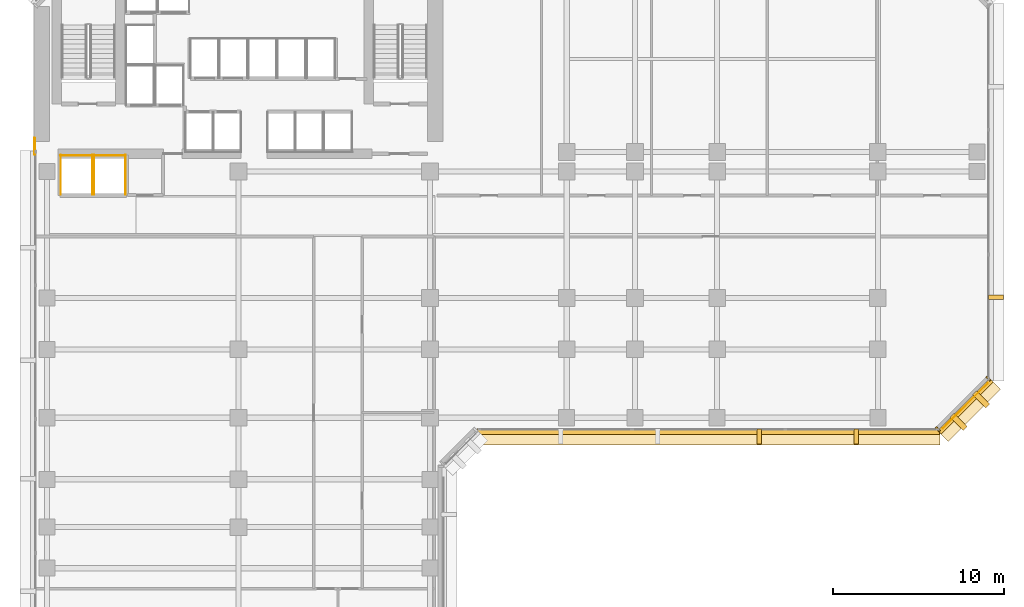
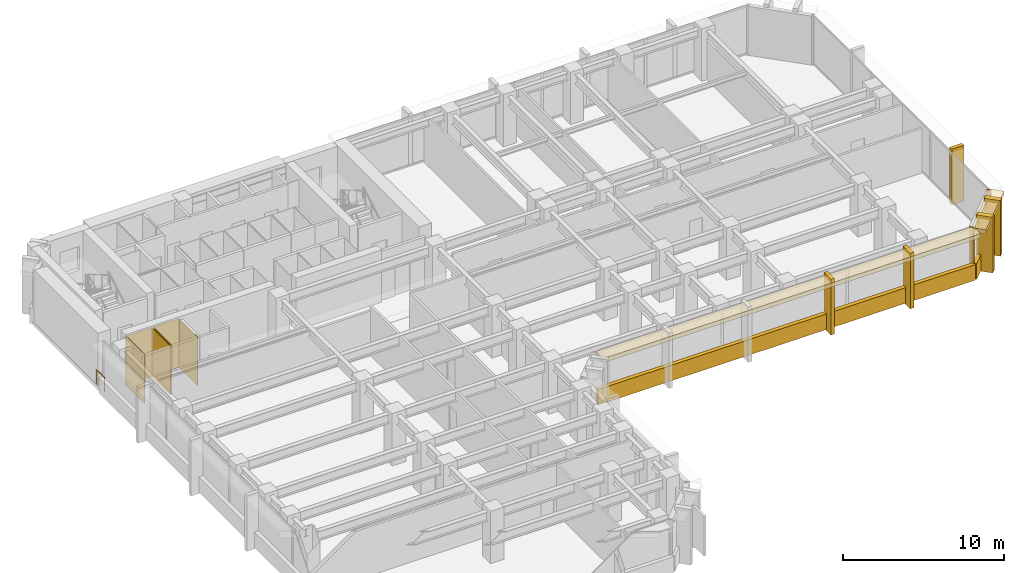
# One storey, part 10 of 13: 18 coverings, 1 railing.
"""IFC4 building model written with IfcOpenShell, lengths in metres."""

from ifc_helpers import new_model, si_unit, direction, frame, origin, origin_2d, place, context, subcontext, project, spatial, polyline, rectangle, circle, outline, extrude, material, layer, layer_set, type_object, element, save


model = new_model("IFC4")

# Units and contexts
model_context = context("Model", 3, precision=1e-05, world=origin(), true_north=direction((0.0, 1.0)))
body_context = subcontext(model_context, "Body", "Model", "MODEL_VIEW")
ifc_project = project(units=[si_unit("LENGTHUNIT", "METRE"), si_unit("AREAUNIT", "SQUARE_METRE"), si_unit("VOLUMEUNIT", "CUBIC_METRE"), si_unit("PLANEANGLEUNIT", "RADIAN"), si_unit("MASSUNIT", "GRAM", prefix="KILO")], contexts=[model_context])

# Site, building, storey
site_placement = place(None, origin())
site = spatial("IfcSite", under=ifc_project, at=site_placement, CompositionType="ELEMENT")
building_placement = place(site_placement, origin())
building = spatial("IfcBuilding", under=site, at=building_placement, Name="Kefirva Bronze Tower", CompositionType="ELEMENT")
storey_placement = place(building_placement, frame((0.0, 0.0, 73.919921875)))
storey = spatial("IfcBuildingStorey", under=building, at=storey_placement, Name="L17", CompositionType="ELEMENT", Elevation=73.919921875)

# Coverings
ifc_material_1 = material(Name="Bronze anodised aluminium", Category="aluminium")
ifc_layer_1 = layer(ifc_material_1, 0.02001953125, Name="Bronze anodised aluminium")
ifc_layer_set_1 = layer_set([ifc_layer_1], Name="Bronze anodised aluminium")
covering_type_1 = type_object("IfcCoveringType", Name="Anodised Bronze Spandrel Cladding 20mm", PredefinedType="CLADDING", material=ifc_layer_set_1)
covering_1_placement = place(storey_placement, frame((39.5, 17.9599609375, -0.15966796875), z_axis=(0.0, 0.0, 1.0), x_axis=(1.0, 0.0, 0.0)))
element("IfcCovering", 1, at=covering_1_placement, inside=storey, type_object=covering_type_1, Name="L17 Streamline Horizontal Spandrel Band 4", PredefinedType="CLADDING", context=body_context, shape_type="SweptSolid", body=[
    extrude(rectangle(XDim=27.0400390625, YDim=0.280029296875, at=origin_2d()), origin(), (0.0, 0.0, 1.0), 1.179931640625),
])
covering_2_placement = place(storey_placement, frame((54.507080078125, 19.492919921875, 3.2900390625), z_axis=(0.0, 0.0, 1.0), x_axis=(0.707106781187, 0.707106781187, 0.0)))
element("IfcCovering", 2, at=covering_2_placement, inside=storey, type_object=covering_type_1, Name="L17 Bronze Spandrel Cladding 4", PredefinedType="CLADDING", context=body_context, shape_type="SweptSolid", body=[
    extrude(rectangle(XDim=3.719482421875, YDim=0.02001953125, at=origin_2d()), origin(), (0.0, 0.0, 1.0), 0.39990234375),
])
for number, where, z_axis, x_axis, name in (
    (3, (52.91162109375, 18.137939453125, 0.0), (0.0, 0.0, 1.0), (0.707106781187, 0.707106781187, 0.0), "L17 Facade Joint Closure Panel 4S"),
    (4, (55.862060546875, 21.08837890625, 0.0), (0.0, 0.0, 1.0), (0.707106781187, 0.707106781187, 0.0), "L17 Facade Joint Closure Panel 4E"),
):
    element("IfcCovering", number, at=place(storey_placement, frame(where, z_axis=z_axis, x_axis=x_axis)), inside=storey, type_object=covering_type_1, Name=name, PredefinedType="CLADDING", context=body_context, shape_type="SweptSolid", body=[
        extrude(rectangle(XDim=0.10009765625, YDim=0.320068359375, at=origin_2d()), origin(), (0.0, 0.0, 1.0), 3.7099609375),
    ])
covering_3_placement = place(storey_placement, frame((54.5283203125, 19.4716796875, -0.15966796875), z_axis=(0.0, 0.0, 1.0), x_axis=(0.707106781187, 0.707106781187, 0.0)))
element("IfcCovering", 5, at=covering_3_placement, inside=storey, type_object=covering_type_1, Name="L17 Streamline Horizontal Spandrel Band 5", PredefinedType="CLADDING", context=body_context, shape_type="SweptSolid", body=[
    extrude(rectangle(XDim=4.28271484375, YDim=0.280029296875, at=origin_2d()), origin(), (0.0, 0.0, 1.0), 1.179931640625),
])
covering_4_placement = place(storey_placement, origin())
element("IfcCovering", 6, at=covering_4_placement, inside=storey, type_object=covering_type_1, Name="L17 Lift OB1 Hoistway Liner N", PredefinedType="CLADDING", context=body_context, shape_type="SweptSolid", body=[
    extrude(outline(polyline([(1.580078125, 34.139892578125), (3.469970703125, 34.139892578125), (3.469970703125, 34.159912109375), (1.580078125, 34.159912109375), (1.580078125, 34.139892578125)])), origin(), (0.0, 0.0, 1.0), 3.7099609375),
])
covering_5_placement = place(storey_placement, origin())
element("IfcCovering", 7, at=covering_5_placement, inside=storey, type_object=covering_type_1, Name="L17 Lift OB1 Hoistway Liner W", PredefinedType="CLADDING", context=body_context, shape_type="SweptSolid", body=[
    extrude(outline(polyline([(1.590087890625, 31.830078125), (1.610107421875, 31.830078125), (1.610107421875, 34.169921875), (1.590087890625, 34.169921875), (1.590087890625, 31.830078125)])), origin(), (0.0, 0.0, 1.0), 3.7099609375),
])
covering_6_placement = place(storey_placement, origin())
element("IfcCovering", 8, at=covering_6_placement, inside=storey, type_object=covering_type_1, Name="L17 Lift OB1 Hoistway Liner E", PredefinedType="CLADDING", context=body_context, shape_type="SweptSolid", body=[
    extrude(outline(polyline([(3.43994140625, 31.830078125), (3.4599609375, 31.830078125), (3.4599609375, 34.169921875), (3.43994140625, 34.169921875), (3.43994140625, 31.830078125)])), origin(), (0.0, 0.0, 1.0), 3.7099609375),
])
covering_7_placement = place(storey_placement, origin())
element("IfcCovering", 9, at=covering_7_placement, inside=storey, type_object=covering_type_1, Name="L17 Lift OB2 Hoistway Liner N", PredefinedType="CLADDING", context=body_context, shape_type="SweptSolid", body=[
    extrude(outline(polyline([(3.530029296875, 34.139892578125), (5.419921875, 34.139892578125), (5.419921875, 34.159912109375), (3.530029296875, 34.159912109375), (3.530029296875, 34.139892578125)])), origin(), (0.0, 0.0, 1.0), 3.7099609375),
])
covering_8_placement = place(storey_placement, origin())
element("IfcCovering", 10, at=covering_8_placement, inside=storey, type_object=covering_type_1, Name="L17 Lift OB2 Hoistway Liner W", PredefinedType="CLADDING", context=body_context, shape_type="SweptSolid", body=[
    extrude(outline(polyline([(3.5400390625, 31.830078125), (3.56005859375, 31.830078125), (3.56005859375, 34.169921875), (3.5400390625, 34.169921875), (3.5400390625, 31.830078125)])), origin(), (0.0, 0.0, 1.0), 3.7099609375),
])
covering_9_placement = place(storey_placement, origin())
element("IfcCovering", 11, at=covering_9_placement, inside=storey, type_object=covering_type_1, Name="L17 Lift OB2 Hoistway Liner E", PredefinedType="CLADDING", context=body_context, shape_type="SweptSolid", body=[
    extrude(outline(polyline([(5.389892578125, 31.830078125), (5.409912109375, 31.830078125), (5.409912109375, 34.169921875), (5.389892578125, 34.169921875), (5.389892578125, 31.830078125)])), origin(), (0.0, 0.0, 1.0), 3.7099609375),
])

# Railing
ifc_material_2 = material(Name="Stainless steel 316", Category="steel")
railing_type = type_object("IfcRailingType", Name="Interior Stair Guardrail 1100mm", PredefinedType="GUARDRAIL", material=ifc_material_2)
railing_placement = place(storey_placement, frame((0.080078125, 34.199951171875, 0.0)))
element("IfcRailing", 12, at=railing_placement, inside=storey, type_object=railing_type, Name="L17 West Core Junction Guardrail", PredefinedType="GUARDRAIL", context=body_context, shape_type="SweptSolid", body=[
    extrude(circle(Radius=0.02392578125, at=origin_2d()), frame((0.0, 0.0, 1.076171875), z_axis=(0.0, 1.0, 0.0), x_axis=(-1.0, 0.0, 0.0)), (0.0, 0.0, 1.0), 0.949951171875),
    extrude(circle(Radius=0.02099609375, at=origin_2d()), origin(), (0.0, 0.0, 1.0), 1.052001953125),
    extrude(circle(Radius=0.02099609375, at=origin_2d()), frame((0.0, 0.949951171875, 0.0)), (0.0, 0.0, 1.0), 1.052001953125),
])

# Coverings
ifc_layer_2 = layer(ifc_material_1, 0.179931640625, Name="Bronze anodised aluminium")
ifc_layer_set_2 = layer_set([ifc_layer_2], Name="Bronze anodised aluminium")
covering_type_2 = type_object("IfcCoveringType", Name="Streamline Bronze Sunshade Eyebrow Cladding 180mm", PredefinedType="CLADDING", material=ifc_layer_set_2)
covering_10_placement = place(storey_placement, frame((39.5, 17.68994140625, 3.39013671875), z_axis=(0.0, 0.0, 1.0), x_axis=(1.0, 0.0, 0.0)))
element("IfcCovering", 13, at=covering_10_placement, inside=storey, type_object=covering_type_2, Name="L17 Streamline Bronze Sunshade Eyebrow 4", PredefinedType="CLADDING", context=body_context, shape_type="SweptSolid", body=[
    extrude(rectangle(XDim=27.080078125, YDim=0.93994140625, at=origin_2d()), origin(), (0.0, 0.0, 1.0), 0.320068359375),
])
covering_11_placement = place(storey_placement, frame((54.71923828125, 19.28076171875, 3.39013671875), z_axis=(0.0, 0.0, 1.0), x_axis=(0.707106781187, 0.707106781187, 0.0)))
element("IfcCovering", 14, at=covering_11_placement, inside=storey, type_object=covering_type_2, Name="L17 Streamline Bronze Sunshade Eyebrow 5", PredefinedType="CLADDING", context=body_context, shape_type="SweptSolid", body=[
    extrude(rectangle(XDim=4.322509765625, YDim=0.93994140625, at=origin_2d()), origin(), (0.0, 0.0, 1.0), 0.320068359375),
])
ifc_layer_3 = layer(ifc_material_1, 0.260009765625, Name="Bronze anodised aluminium")
ifc_layer_set_3 = layer_set([ifc_layer_3], Name="Bronze anodised aluminium")
covering_type_3 = type_object("IfcCoveringType", Name="Unbroken Bronze Buttress Fin Cladding 260mm", PredefinedType="CLADDING", material=ifc_layer_set_3)
for number, where, z_axis, x_axis, name in (
    (15, (42.469970703125, 17.699951171875, -0.25), (0.0, 0.0, 1.0), (1.0, 0.0, 0.0), "L17 Unbroken Vertical Bronze Rib Fin 11"),
    (16, (48.139892578125, 17.699951171875, -0.25), (0.0, 0.0, 1.0), (1.0, 0.0, 0.0), "L17 Unbroken Vertical Bronze Rib Fin 12"),
):
    element("IfcCovering", number, at=place(storey_placement, frame(where, z_axis=z_axis, x_axis=x_axis)), inside=storey, type_object=covering_type_3, Name=name, PredefinedType="CLADDING", context=body_context, shape_type="SweptSolid", body=[
        extrude(rectangle(XDim=0.260009765625, YDim=0.8798828125, at=origin_2d()), origin(), (0.0, 0.0, 1.0), 4.2099609375),
    ])
for number, where, z_axis, x_axis, name in (
    (17, (54.122802734375, 18.55712890625, -0.25), (0.0, 0.0, 1.0), (0.707106781187, 0.707106781187, 0.0), "L17 Chamfered Corner Buttress Fin Cladding 13"),
    (18, (55.44287109375, 19.877197265625, -0.25), (0.0, 0.0, 1.0), (0.707106781187, 0.707106781187, 0.0), "L17 Chamfered Corner Buttress Fin Cladding 14"),
):
    element("IfcCovering", number, at=place(storey_placement, frame(where, z_axis=z_axis, x_axis=x_axis)), inside=storey, type_object=covering_type_3, Name=name, PredefinedType="CLADDING", context=body_context, shape_type="SweptSolid", body=[
        extrude(rectangle(XDim=0.340087890625, YDim=1.080078125, at=origin_2d()), origin(), (0.0, 0.0, 1.0), 4.2099609375),
    ])
covering_12_placement = place(storey_placement, frame((56.300048828125, 25.840087890625, -0.25), z_axis=(0.0, 0.0, 1.0), x_axis=(0.0, 1.0, 0.0)))
element("IfcCovering", 19, at=covering_12_placement, inside=storey, type_object=covering_type_3, Name="L17 Unbroken Vertical Bronze Rib Fin 15", PredefinedType="CLADDING", context=body_context, shape_type="SweptSolid", body=[
    extrude(rectangle(XDim=0.260009765625, YDim=0.8798828125, at=origin_2d()), origin(), (0.0, 0.0, 1.0), 4.2099609375),
])

save(model, "model.ifc")
